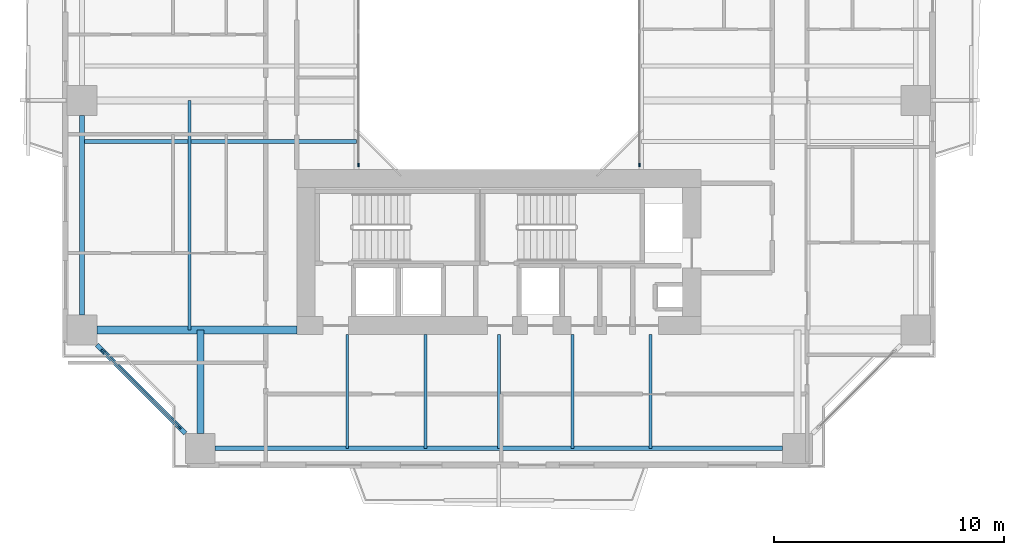
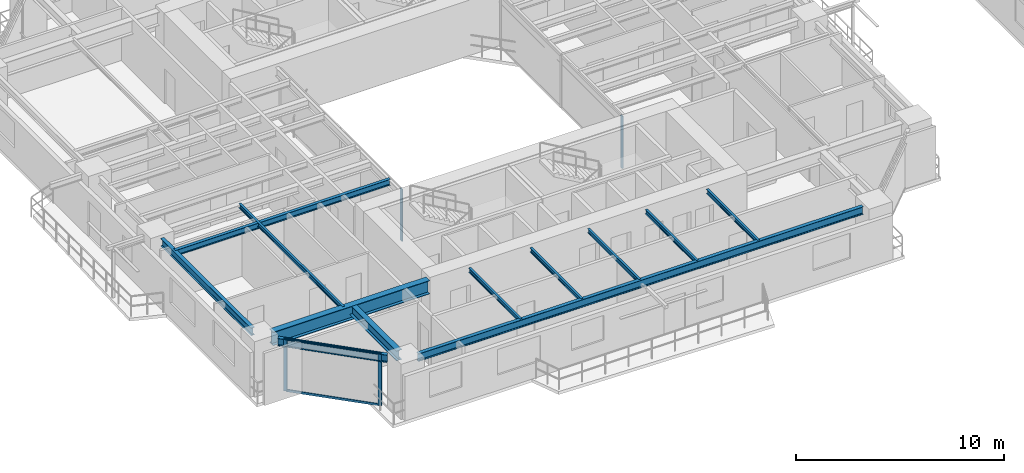
# One storey, part 2 of 24: 12 beams, 6 members, 3 elements without a shape of their own.
"""IFC4 building model written with IfcOpenShell, lengths in metres."""

from ifc_helpers import new_model, si_unit, direction, frame, origin, origin_2d, place, context, subcontext, project, spatial, rectangle, i_section, extrude, source, transform, mapped, material, layer, layer_set, material_profile, profile_set, type_object, element, aggregate, save


model = new_model("IFC4")

# Units and contexts
model_context = context("Model", 3, precision=1e-05, world=origin(), true_north=direction((0.0, 1.0)))
body_context = subcontext(model_context, "Body", "Model", "MODEL_VIEW")
ifc_project = project(units=[si_unit("LENGTHUNIT", "METRE"), si_unit("AREAUNIT", "SQUARE_METRE"), si_unit("VOLUMEUNIT", "CUBIC_METRE"), si_unit("PLANEANGLEUNIT", "RADIAN"), si_unit("MASSUNIT", "GRAM", prefix="KILO"), si_unit("THERMODYNAMICTEMPERATUREUNIT", "KELVIN"), si_unit("POWERUNIT", "WATT")], contexts=[model_context])

# Site, building, storey
site_placement = place(None, origin())
site = spatial("IfcSite", under=ifc_project, at=site_placement, CompositionType="ELEMENT")
building_placement = place(site_placement, origin())
building = spatial("IfcBuilding", under=site, at=building_placement, Name="Qiaomeng Ring Towers", CompositionType="ELEMENT")
storey_placement = place(building_placement, frame((0.0, 0.0, 36.0)))
storey = spatial("IfcBuildingStorey", under=building, at=storey_placement, Name="L09", CompositionType="ELEMENT", Elevation=36.0)

# Beams
ifc_material_1 = material(Name="Steel Q355B", Category="steel")
ifc_material_profile_1 = material_profile(ifc_material_1, i_section(OverallWidth=0.199951171875, OverallDepth=0.449951171875, WebThickness=0.009033203125, FlangeThickness=0.013916015625, FilletRadius=0.01806640625, at=origin_2d()), Name="HN 450x200x9x14")
ifc_profile_set_1 = profile_set([ifc_material_profile_1], Name="Steel Q355B")
beam_type_1 = type_object("IfcBeamType", Name="STR-BM-HN450", PredefinedType="SPANDREL", material=ifc_profile_set_1)
shared_shape_1 = source(origin(), body_context, "Body", "SweptSolid", [
    extrude(i_section(OverallWidth=0.199951171875, OverallDepth=0.449951171875, WebThickness=0.009033203125, FlangeThickness=0.013916015625, FilletRadius=0.01806640625, at=origin_2d()), origin(), (0.0, 0.0, 1.0), 24.7021484375),
])
beam_1_placement = place(storey_placement, frame((6.64892578125, 4.85009765625, 2.844970703125), z_axis=(1.0, 0.0, 0.0), x_axis=(0.0, 1.0, 0.0)))
element("IfcBeam", 1, at=beam_1_placement, inside=storey, type_object=beam_type_1, Name="L09 beam STR-SP-L09-T1-S1-S2", PredefinedType="SPANDREL", context=body_context, shape_type="MappedRepresentation", body=[
    mapped(shared_shape_1, transform((0.0, 0.0, 0.0), x_axis=(1.0, 0.0, 0.0), y_axis=(0.0, 1.0, 0.0), z_axis=(0.0, 0.0, 1.0), scale=1.0)),
])
shared_shape_2 = source(origin(), body_context, "Body", "SweptSolid", [
    extrude(i_section(OverallWidth=0.199951171875, OverallDepth=0.449951171875, WebThickness=0.009033203125, FlangeThickness=0.013916015625, FilletRadius=0.01806640625, at=origin_2d()), origin(), (0.0, 0.0, 1.0), 5.446533203125),
])
beam_2_placement = place(storey_placement, frame((1.499267578125, 9.3505859375, 2.844970703125), z_axis=(0.707106781187, -0.707106781187, 0.0), x_axis=(0.707106781187, 0.707106781187, 0.0)))
element("IfcBeam", 2, at=beam_2_placement, inside=storey, type_object=beam_type_1, Name="L09 beam STR-SP-L09-T1-W1-S1", PredefinedType="SPANDREL", context=body_context, shape_type="MappedRepresentation", body=[
    mapped(shared_shape_2, transform((0.0, 0.0, 0.0), x_axis=(1.0, 0.0, 0.0), y_axis=(0.0, 1.0, 0.0), z_axis=(0.0, 0.0, 1.0), scale=1.0)),
])
shared_shape_3 = source(origin(), body_context, "Body", "SweptSolid", [
    extrude(i_section(OverallWidth=0.199951171875, OverallDepth=0.449951171875, WebThickness=0.009033203125, FlangeThickness=0.013916015625, FilletRadius=0.01806640625, at=origin_2d()), origin(), (0.0, 0.0, 1.0), 8.7021484375),
])
beam_3_placement = place(storey_placement, frame((0.85009765625, 19.35107421875, 2.844970703125), z_axis=(0.0, -1.0, 0.0), x_axis=(1.0, 0.0, 0.0)))
element("IfcBeam", 3, at=beam_3_placement, inside=storey, type_object=beam_type_1, Name="L09 beam STR-SP-L09-T1-W2-W1", PredefinedType="SPANDREL", context=body_context, shape_type="MappedRepresentation", body=[
    mapped(shared_shape_3, transform((0.0, 0.0, 0.0), x_axis=(1.0, 0.0, 0.0), y_axis=(0.0, 1.0, 0.0), z_axis=(0.0, 0.0, 1.0), scale=1.0)),
])
ifc_material_2 = material(Name="Steel Q390GJC", Category="steel")
ifc_material_profile_2 = material_profile(ifc_material_2, i_section(OverallWidth=0.35009765625, OverallDepth=0.800048828125, WebThickness=0.01611328125, FlangeThickness=0.028076171875, at=origin_2d()), Name="WH 800x350x16x28")
ifc_profile_set_2 = profile_set([ifc_material_profile_2], Name="Steel Q390GJC")
beam_type_2 = type_object("IfcBeamType", Name="STR-BM-WH800", PredefinedType="BEAM", material=ifc_profile_set_2)
shared_shape_4 = source(origin(), body_context, "Body", "SweptSolid", [
    extrude(i_section(OverallWidth=0.35009765625, OverallDepth=0.800048828125, WebThickness=0.01611328125, FlangeThickness=0.028076171875, at=origin_2d()), origin(), (0.0, 0.0, 1.0), 8.700927734375),
])
beam_4_placement = place(storey_placement, frame((1.4990234375, 10.0, 2.669921875), z_axis=(1.0, 0.0, 0.0), x_axis=(0.0, 1.0, 0.0)))
element("IfcBeam", 4, at=beam_4_placement, inside=storey, type_object=beam_type_2, Name="L09 beam STR-BM-L09-T1-RAD-W1", PredefinedType="BEAM", context=body_context, shape_type="MappedRepresentation", body=[
    mapped(shared_shape_4, transform((0.0, 0.0, 0.0), x_axis=(1.0, 0.0, 0.0), y_axis=(0.0, 1.0, 0.0), z_axis=(0.0, 0.0, 1.0), scale=1.0)),
])
ifc_material_profile_3 = material_profile(ifc_material_1, i_section(OverallWidth=0.300048828125, OverallDepth=0.587890625, WebThickness=0.011962890625, FlangeThickness=0.02001953125, FilletRadius=0.028076171875, at=origin_2d()), Name="HM 588x300x12x20")
ifc_profile_set_3 = profile_set([ifc_material_profile_3], Name="Steel Q355B")
beam_type_3 = type_object("IfcBeamType", Name="STR-BM-HM588", PredefinedType="BEAM", material=ifc_profile_set_3)
shared_shape_5 = source(origin(), body_context, "Body", "SweptSolid", [
    extrude(i_section(OverallWidth=0.300048828125, OverallDepth=0.587890625, WebThickness=0.011962890625, FlangeThickness=0.02001953125, FilletRadius=0.028076171875, at=origin_2d()), origin(), (0.0, 0.0, 1.0), 4.5009765625),
])
beam_5_placement = place(storey_placement, frame((6.0, 5.4990234375, 2.77587890625), z_axis=(0.0, 1.0, 0.0), x_axis=(-1.0, 0.0, 0.0)))
element("IfcBeam", 5, at=beam_5_placement, inside=storey, type_object=beam_type_3, Name="L09 beam STR-BM-L09-T1-RAD-S1", PredefinedType="BEAM", context=body_context, shape_type="MappedRepresentation", body=[
    mapped(shared_shape_5, transform((0.0, 0.0, 0.0), x_axis=(1.0, 0.0, 0.0), y_axis=(0.0, 1.0, 0.0), z_axis=(0.0, 0.0, 1.0), scale=1.0)),
])
ifc_material_profile_4 = material_profile(ifc_material_1, i_section(OverallWidth=0.125, OverallDepth=0.25, WebThickness=0.006103515625, FlangeThickness=0.009033203125, FilletRadius=0.011962890625, at=origin_2d()), Name="HN 250x125x6x9")
ifc_profile_set_4 = profile_set([ifc_material_profile_4], Name="Steel Q355B")
beam_type_4 = type_object("IfcBeamType", Name="STR-BM-HN250", PredefinedType="JOIST", material=ifc_profile_set_4)
shared_shape_6 = source(origin(), body_context, "Body", "SweptSolid", [
    extrude(i_section(OverallWidth=0.125, OverallDepth=0.25, WebThickness=0.006103515625, FlangeThickness=0.009033203125, FilletRadius=0.011962890625, at=origin_2d()), origin(), (0.0, 0.0, 1.0), 4.949951171875),
])
for number, where, z_axis, x_axis, name in (
    (6, (12.39990234375, 4.85009765625, 2.945068359375), (0.0, 1.0, 0.0), (-1.0, 0.0, 0.0), "L09 beam STR-JST-L09-T1S-1"),
    (7, (15.800048828125, 4.85009765625, 2.945068359375), (0.0, 1.0, 0.0), (-1.0, 0.0, 0.0), "L09 beam STR-JST-L09-T1S-2"),
    (8, (19.0, 4.85009765625, 2.945068359375), (0.0, 1.0, 0.0), (-1.0, 0.0, 0.0), "L09 beam STR-JST-L09-T1S-3"),
    (9, (22.199951171875, 4.85009765625, 2.945068359375), (0.0, 1.0, 0.0), (-1.0, 0.0, 0.0), "L09 beam STR-JST-L09-T1S-4"),
    (10, (25.60009765625, 4.85009765625, 2.945068359375), (0.0, 1.0, 0.0), (-1.0, 0.0, 0.0), "L09 beam STR-JST-L09-T1S-5"),
):
    element("IfcBeam", number, at=place(storey_placement, frame(where, z_axis=z_axis, x_axis=x_axis)), inside=storey, type_object=beam_type_4, Name=name, PredefinedType="JOIST", context=body_context, shape_type="MappedRepresentation", body=[
        mapped(shared_shape_6, transform((0.0, 0.0, 0.0), x_axis=(1.0, 0.0, 0.0), y_axis=(0.0, 1.0, 0.0), z_axis=(0.0, 0.0, 1.0), scale=1.0)),
    ])
ifc_material_profile_5 = material_profile(ifc_material_1, i_section(OverallWidth=0.175048828125, OverallDepth=0.35009765625, WebThickness=0.007080078125, FlangeThickness=0.010986328125, FilletRadius=0.013916015625, at=origin_2d()), Name="HN 350x175x7x11")
ifc_profile_set_5 = profile_set([ifc_material_profile_5], Name="Steel Q355B")
beam_type_5 = type_object("IfcBeamType", Name="STR-BM-HN350", PredefinedType="JOIST", material=ifc_profile_set_5)
shared_shape_7 = source(origin(), body_context, "Body", "SweptSolid", [
    extrude(i_section(OverallWidth=0.175048828125, OverallDepth=0.35009765625, WebThickness=0.007080078125, FlangeThickness=0.010986328125, FilletRadius=0.013916015625, at=origin_2d()), origin(), (0.0, 0.0, 1.0), 11.949951171875),
])
beam_6_placement = place(storey_placement, frame((0.85009765625, 18.199951171875, 2.89501953125), z_axis=(1.0, 0.0, 0.0), x_axis=(0.0, 1.0, 0.0)))
element("IfcBeam", 11, at=beam_6_placement, inside=storey, type_object=beam_type_5, Name="L09 beam STR-JST-L09-T1W-1", PredefinedType="JOIST", context=body_context, shape_type="MappedRepresentation", body=[
    mapped(shared_shape_7, transform((0.0, 0.0, 0.0), x_axis=(1.0, 0.0, 0.0), y_axis=(0.0, 1.0, 0.0), z_axis=(0.0, 0.0, 1.0), scale=1.0)),
])
shared_shape_8 = source(origin(), body_context, "Body", "SweptSolid", [
    extrude(i_section(OverallWidth=0.125, OverallDepth=0.25, WebThickness=0.006103515625, FlangeThickness=0.009033203125, FilletRadius=0.011962890625, at=origin_2d()), origin(), (0.0, 0.0, 1.0), 10.0),
])
beam_7_placement = place(storey_placement, frame((5.52490234375, 10.0, 2.945068359375), z_axis=(0.0, 1.0, 0.0), x_axis=(-1.0, 0.0, 0.0)))
element("IfcBeam", 12, at=beam_7_placement, inside=storey, type_object=beam_type_4, Name="L09 beam STR-JST-L09-T1C-WS", PredefinedType="JOIST", context=body_context, shape_type="MappedRepresentation", body=[
    mapped(shared_shape_8, transform((0.0, 0.0, 0.0), x_axis=(1.0, 0.0, 0.0), y_axis=(0.0, 1.0, 0.0), z_axis=(0.0, 0.0, 1.0), scale=1.0)),
])

# Curtain wall, member
ifc_material_3 = material(Name="Fluorocarbon dark-grey aluminium", Category="aluminium")
ifc_layer_1 = layer(ifc_material_3, 0.139892578125, Name="Fluorocarbon dark-grey aluminium")
ifc_layer_set_1 = layer_set([ifc_layer_1], Name="Fluorocarbon dark-grey aluminium")
curtain_wall_type_1 = type_object("IfcCurtainWallType", Name="ARC-CW-4", PredefinedType="NOTDEFINED", material=ifc_layer_set_1)
curtain_wall_1_placement = place(storey_placement, origin())
curtain_wall_1 = element("IfcCurtainWall", 13, at=curtain_wall_1_placement, inside=storey, type_object=curtain_wall_type_1, Name="L09 Curtain Wall CW4", PredefinedType="NOTDEFINED")
ifc_material_profile_6 = material_profile(ifc_material_3, rectangle(XDim=0.06494140625, YDim=0.159912109375, at=origin_2d()), Name="ALU MULL 65x160")
ifc_profile_set_6 = profile_set([ifc_material_profile_6], Name="Fluorocarbon dark-grey aluminium")
member_type_1 = type_object("IfcMemberType", Name="ARC-CWM-140", PredefinedType="MULLION", material=ifc_profile_set_6)
shared_shape_9 = source(origin(), body_context, "Body", "SweptSolid", [
    extrude(rectangle(XDim=0.06494140625, YDim=0.159912109375, at=origin_2d()), origin(), (0.0, 0.0, 1.0), 3.070068359375),
])
member_1_placement = place(storey_placement, frame((12.8798828125, 17.1826171875, 0.0), z_axis=(0.0, 0.0, 1.0), x_axis=(-1.0, 0.0, 0.0)))
member_1 = element("IfcMember", 14, at=member_1_placement, type_object=member_type_1, Name="CW4 mullion 1", PredefinedType="MULLION", context=body_context, shape_type="MappedRepresentation", body=[
    mapped(shared_shape_9, transform((0.0, 0.0, 0.0), x_axis=(1.0, 0.0, 0.0), y_axis=(0.0, 1.0, 0.0), z_axis=(0.0, 0.0, 1.0), scale=1.0)),
])
aggregate(curtain_wall_1, [member_1])

curtain_wall_2_placement = place(storey_placement, origin())
curtain_wall_2 = element("IfcCurtainWall", 15, at=curtain_wall_2_placement, inside=storey, type_object=curtain_wall_type_1, Name="L09 Curtain Wall CW4", PredefinedType="NOTDEFINED")
member_2_placement = place(storey_placement, frame((25.1201171875, 17.1826171875, 0.0), z_axis=(0.0, 0.0, 1.0), x_axis=(-1.0, 0.0, 0.0)))
member_2 = element("IfcMember", 16, at=member_2_placement, type_object=member_type_1, Name="CW4 mullion 1", PredefinedType="MULLION", context=body_context, shape_type="MappedRepresentation", body=[
    mapped(shared_shape_9, transform((0.0, 0.0, 0.0), x_axis=(1.0, 0.0, 0.0), y_axis=(0.0, 1.0, 0.0), z_axis=(0.0, 0.0, 1.0), scale=1.0)),
])
aggregate(curtain_wall_2, [member_2])

# Curtain wall, members
ifc_layer_2 = layer(ifc_material_3, 0.159912109375, Name="Fluorocarbon dark-grey aluminium")
ifc_layer_set_2 = layer_set([ifc_layer_2], Name="Fluorocarbon dark-grey aluminium")
curtain_wall_type_2 = type_object("IfcCurtainWallType", Name="ARC-CW-2", PredefinedType="NOTDEFINED", material=ifc_layer_set_2)
curtain_wall_3_placement = place(storey_placement, origin())
curtain_wall_3 = element("IfcCurtainWall", 17, at=curtain_wall_3_placement, inside=storey, type_object=curtain_wall_type_2, Name="L09 Curtain Wall CW2", PredefinedType="NOTDEFINED")
ifc_material_profile_7 = material_profile(ifc_material_3, rectangle(XDim=0.070068359375, YDim=0.179931640625, at=origin_2d()), Name="ALU MULL 70x180")
ifc_profile_set_7 = profile_set([ifc_material_profile_7], Name="Fluorocarbon dark-grey aluminium")
member_type_2 = type_object("IfcMemberType", Name="ARC-CWM-160", PredefinedType="MULLION", material=ifc_profile_set_7)
shared_shape_10 = source(origin(), body_context, "Body", "SweptSolid", [
    extrude(rectangle(XDim=0.070068359375, YDim=0.179931640625, at=origin_2d()), origin(), (0.0, 0.0, 1.0), 3.070068359375),
])
member_3_placement = place(storey_placement, frame((1.7646484375, 9.085205078125, 0.0), z_axis=(0.0, 0.0, 1.0), x_axis=(0.707106781187, 0.707106781187, 0.0)))
member_3 = element("IfcMember", 18, at=member_3_placement, type_object=member_type_2, Name="CW2 mullion 1", PredefinedType="MULLION", context=body_context, shape_type="MappedRepresentation", body=[
    mapped(shared_shape_10, transform((0.0, 0.0, 0.0), x_axis=(1.0, 0.0, 0.0), y_axis=(0.0, 1.0, 0.0), z_axis=(0.0, 0.0, 1.0), scale=1.0)),
])
member_4_placement = place(storey_placement, frame((5.085205078125, 5.7646484375, 0.0), z_axis=(0.0, 0.0, 1.0), x_axis=(0.707106781187, 0.707106781187, 0.0)))
member_4 = element("IfcMember", 19, at=member_4_placement, type_object=member_type_2, Name="CW2 mullion 2", PredefinedType="MULLION", context=body_context, shape_type="MappedRepresentation", body=[
    mapped(shared_shape_10, transform((0.0, 0.0, 0.0), x_axis=(1.0, 0.0, 0.0), y_axis=(0.0, 1.0, 0.0), z_axis=(0.0, 0.0, 1.0), scale=1.0)),
])
ifc_material_profile_8 = material_profile(ifc_material_3, rectangle(XDim=0.06494140625, YDim=0.1298828125, at=origin_2d()), Name="ALU TRAN 65x130")
ifc_profile_set_8 = profile_set([ifc_material_profile_8], Name="Fluorocarbon dark-grey aluminium")
member_type_3 = type_object("IfcMemberType", Name="ARC-CWT-120", PredefinedType="USERDEFINED", material=ifc_profile_set_8)
shared_shape_11 = source(origin(), body_context, "Body", "SweptSolid", [
    extrude(rectangle(XDim=0.06494140625, YDim=0.1298828125, at=origin_2d()), origin(), (0.0, 0.0, 1.0), 4.6259765625),
])
member_5_placement = place(storey_placement, frame((1.78955078125, 9.060546875, 0.032470703125), z_axis=(0.707106781187, -0.707106781187, 0.0), x_axis=(0.707106781187, 0.707106781187, 0.0)))
member_5 = element("IfcMember", 20, at=member_5_placement, type_object=member_type_3, Name="CW2 transom 1.1", ObjectType="TRANSOM", PredefinedType="USERDEFINED", context=body_context, shape_type="MappedRepresentation", body=[
    mapped(shared_shape_11, transform((0.0, 0.0, 0.0), x_axis=(1.0, 0.0, 0.0), y_axis=(0.0, 1.0, 0.0), z_axis=(0.0, 0.0, 1.0), scale=1.0)),
])
member_6_placement = place(storey_placement, frame((1.78955078125, 9.060546875, 3.03759765625), z_axis=(0.707106781187, -0.707106781187, 0.0), x_axis=(0.707106781187, 0.707106781187, 0.0)))
member_6 = element("IfcMember", 21, at=member_6_placement, type_object=member_type_3, Name="CW2 transom 1.2", ObjectType="TRANSOM", PredefinedType="USERDEFINED", context=body_context, shape_type="MappedRepresentation", body=[
    mapped(shared_shape_11, transform((0.0, 0.0, 0.0), x_axis=(1.0, 0.0, 0.0), y_axis=(0.0, 1.0, 0.0), z_axis=(0.0, 0.0, 1.0), scale=1.0)),
])
aggregate(curtain_wall_3, [member_3, member_4, member_5, member_6])

save(model, "model.ifc")
